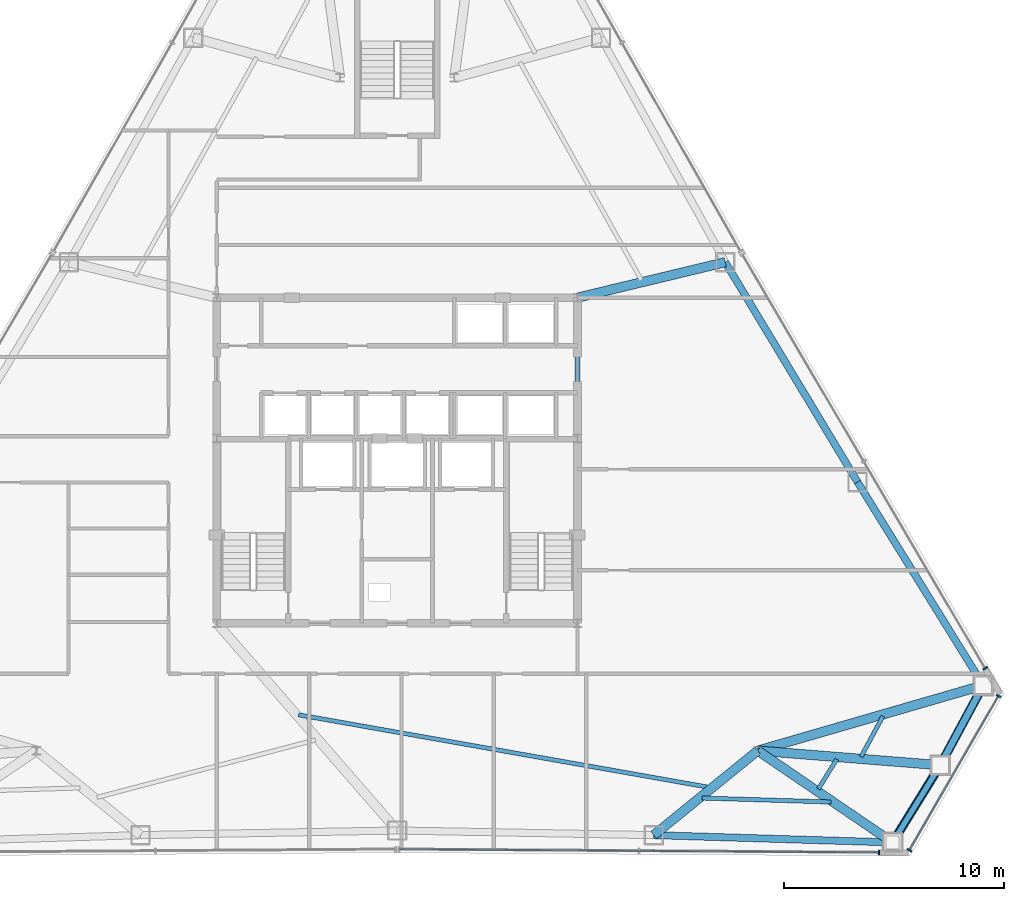
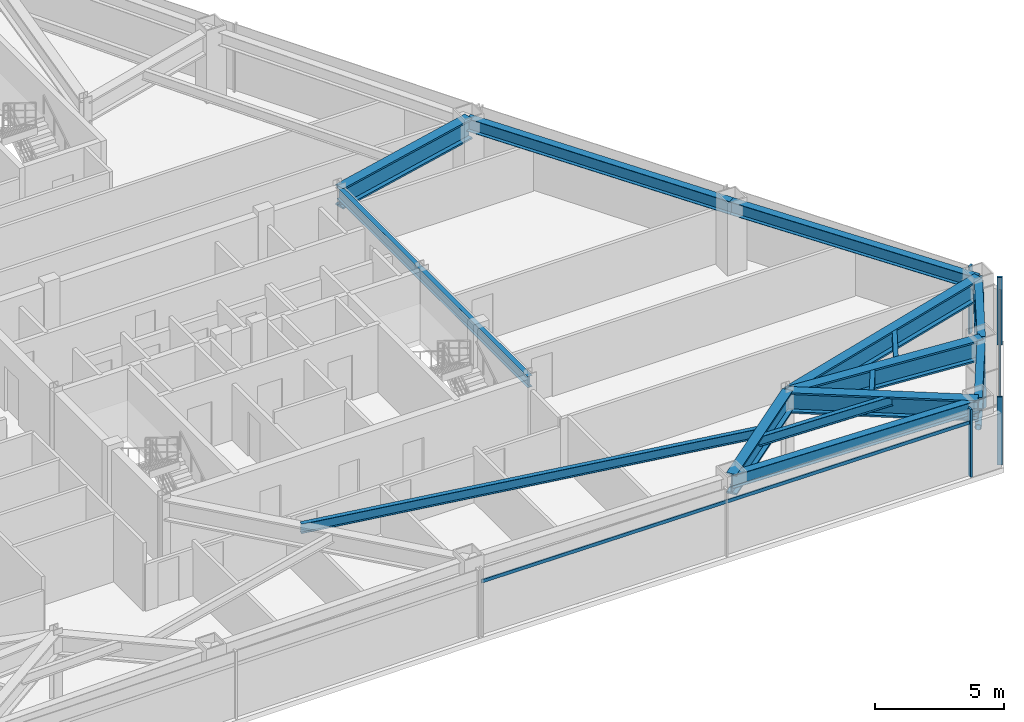
# One storey, part 6 of 13: 15 beams, 9 members, 3 elements without a shape of their own.
"""IFC4 building model written with IfcOpenShell, lengths in metres."""

from ifc_helpers import new_model, si_unit, direction, frame, origin, origin_2d, place, context, subcontext, project, spatial, rectangle, hollow_rectangle, hollow_circle, i_section, extrude, source, transform, mapped, material, layer, layer_set, material_profile, profile_set, type_object, type_shapes, element, aggregate, save


model = new_model("IFC4")

# Units and contexts
model_context = context("Model", 3, precision=1e-05, world=origin(), true_north=direction((0.0, 1.0)))
body_context = subcontext(model_context, "Body", "Model", "MODEL_VIEW")
ifc_project = project(units=[si_unit("LENGTHUNIT", "METRE"), si_unit("AREAUNIT", "SQUARE_METRE"), si_unit("VOLUMEUNIT", "CUBIC_METRE"), si_unit("PLANEANGLEUNIT", "RADIAN"), si_unit("MASSUNIT", "GRAM", prefix="KILO")], contexts=[model_context])

# Site, building, storey
site_placement = place(None, origin())
site = spatial("IfcSite", under=ifc_project, at=site_placement, CompositionType="ELEMENT")
building_placement = place(site_placement, origin())
building = spatial("IfcBuilding", under=site, at=building_placement, Name="Varakhsha Concourse Tower", CompositionType="ELEMENT")
storey_placement = place(building_placement, frame((0.0, 0.0, 136.699951171875)))
storey = spatial("IfcBuildingStorey", under=building, at=storey_placement, Name="L39", CompositionType="ELEMENT", Elevation=136.699951171875)

# Beams
ifc_material_1 = material(Name="Structural Steel ASTM A992 Grade 50", Category="steel")
ifc_material_profile_1 = material_profile(ifc_material_1, i_section(OverallWidth=0.19091796875, OverallDepth=0.45703125, WebThickness=0.009033203125, FlangeThickness=0.013916015625, at=origin_2d()), Name="W18X50")
ifc_profile_set_1 = profile_set([ifc_material_profile_1], Name="Structural Steel ASTM A992 Grade 50")
beam_type_1 = type_object("IfcBeamType", Name="BM-JST-W18X50", PredefinedType="JOIST", material=ifc_profile_set_1)
beam_1_placement = place(storey_placement, frame((35.516357421875, 12.231689453125, 2.9814453125), z_axis=(0.984751303564, -0.17396801467, 0.0), x_axis=(0.17396801467, 0.984751303564, 0.0)))
element("IfcBeam", 1, at=beam_1_placement, inside=storey, type_object=beam_type_1, Name="BM-TJST-L39-11", PredefinedType="JOIST", context=body_context, shape_type="SweptSolid", body=[
    extrude(i_section(OverallWidth=0.19091796875, OverallDepth=0.45703125, WebThickness=0.009033203125, FlangeThickness=0.013916015625, at=origin_2d()), origin(), (0.0, 0.0, 1.0), 18.9833984375),
])
beam_2_placement = place(storey_placement, frame((53.86083984375, 8.44580078125, 2.9814453125), z_axis=(0.999532008053, -0.03059027423, 0.0), x_axis=(0.03059027423, 0.999532008053, 0.0)))
element("IfcBeam", 2, at=beam_2_placement, inside=storey, type_object=beam_type_1, Name="BM-TJST-L39-12", PredefinedType="JOIST", context=body_context, shape_type="SweptSolid", body=[
    extrude(i_section(OverallWidth=0.19091796875, OverallDepth=0.45703125, WebThickness=0.009033203125, FlangeThickness=0.013916015625, at=origin_2d()), origin(), (0.0, 0.0, 1.0), 5.865966796875),
])
beam_3_placement = place(storey_placement, frame((59.156005859375, 8.857421875, 2.9814453125), z_axis=(0.525274673375, 0.850932733834, 0.0), x_axis=(-0.850932733834, 0.525274673375, 0.0)))
element("IfcBeam", 3, at=beam_3_placement, inside=storey, type_object=beam_type_1, Name="BM-TJST-L39-13", PredefinedType="JOIST", context=body_context, shape_type="SweptSolid", body=[
    extrude(i_section(OverallWidth=0.19091796875, OverallDepth=0.45703125, WebThickness=0.009033203125, FlangeThickness=0.013916015625, at=origin_2d()), origin(), (0.0, 0.0, 1.0), 1.59619140625),
])
beam_4_placement = place(storey_placement, frame((61.100341796875, 10.326904296875, 2.9814453125), z_axis=(0.474273837801, 0.880377377479, 0.0), x_axis=(-0.880377377479, 0.474273837801, 0.0)))
element("IfcBeam", 4, at=beam_4_placement, inside=storey, type_object=beam_type_1, Name="BM-TJST-L39-14", PredefinedType="JOIST", context=body_context, shape_type="SweptSolid", body=[
    extrude(i_section(OverallWidth=0.19091796875, OverallDepth=0.45703125, WebThickness=0.009033203125, FlangeThickness=0.013916015625, at=origin_2d()), origin(), (0.0, 0.0, 1.0), 2.091552734375),
])
ifc_material_profile_2 = material_profile(ifc_material_1, i_section(OverallWidth=0.2109375, OverallDepth=0.5390625, WebThickness=0.011962890625, FlangeThickness=0.01904296875, at=origin_2d()), Name="W21X73")
ifc_profile_set_2 = profile_set([ifc_material_profile_2], Name="Structural Steel ASTM A992 Grade 50")
beam_type_2 = type_object("IfcBeamType", Name="BM-RAD-W21X73", PredefinedType="BEAM", material=ifc_profile_set_2)
beam_5_placement = place(storey_placement, frame((48.199951171875, 16.39990234375, 2.9404296875), z_axis=(0.0, 1.0, 0.0), x_axis=(-1.0, 0.0, 0.0)))
element("IfcBeam", 5, at=beam_5_placement, inside=storey, type_object=beam_type_2, Name="BM-TCORE-L39-CE", PredefinedType="BEAM", context=body_context, shape_type="SweptSolid", body=[
    extrude(i_section(OverallWidth=0.2109375, OverallDepth=0.5390625, WebThickness=0.011962890625, FlangeThickness=0.01904296875, at=origin_2d()), origin(), (0.0, 0.0, 1.0), 14.800048828125),
])
ifc_material_profile_3 = material_profile(ifc_material_1, i_section(OverallWidth=0.323974609375, OverallDepth=0.611083984375, WebThickness=0.012939453125, FlangeThickness=0.01904296875, at=origin_2d()), Name="W24X104")
ifc_profile_set_3 = profile_set([ifc_material_profile_3], Name="Structural Steel ASTM A992 Grade 50")
beam_type_3 = type_object("IfcBeamType", Name="BM-SPAN-W24X104", PredefinedType="SPANDREL", material=ifc_profile_set_3)
beam_6_placement = place(storey_placement, frame((51.66943359375, 6.759033203125, 2.904541015625), z_axis=(0.999532503113, -0.030574093962, 0.0), x_axis=(0.030574093962, 0.999532503113, 0.0)))
element("IfcBeam", 6, at=beam_6_placement, inside=storey, type_object=beam_type_3, Name="BM-SPAN-L39-12", PredefinedType="SPANDREL", context=body_context, shape_type="SweptSolid", body=[
    extrude(i_section(OverallWidth=0.323974609375, OverallDepth=0.611083984375, WebThickness=0.012939453125, FlangeThickness=0.01904296875, at=origin_2d()), origin(), (0.0, 0.0, 1.0), 10.867919921875),
])
for number, where, z_axis, x_axis, name in (
    (7, (62.5322265625, 6.4267578125, 2.904541015625), (0.525275019808, 0.850932519984, 0.0), (-0.850932519984, 0.525275019808, 0.0), "BM-SPAN-L39-13"),
    (8, (64.700439453125, 9.939208984375, 2.904541015625), (0.474307913121, 0.880359019691, 0.0), (-0.880359019691, 0.474307913121, 0.0), "BM-SPAN-L39-14"),
):
    element("IfcBeam", number, at=place(storey_placement, frame(where, z_axis=z_axis, x_axis=x_axis)), inside=storey, type_object=beam_type_3, Name=name, PredefinedType="SPANDREL", context=body_context, shape_type="SweptSolid", body=[
        extrude(i_section(OverallWidth=0.323974609375, OverallDepth=0.611083984375, WebThickness=0.012939453125, FlangeThickness=0.01904296875, at=origin_2d()), origin(), (0.0, 0.0, 1.0), 4.127685546875),
    ])
beam_7_placement = place(storey_placement, frame((66.658203125, 13.572998046875, 2.904541015625), z_axis=(-0.526244020502, 0.850333599763, 0.0), x_axis=(-0.850333599763, -0.526244020502, 0.0)))
element("IfcBeam", 9, at=beam_7_placement, inside=storey, type_object=beam_type_3, Name="BM-SPAN-L39-15", PredefinedType="SPANDREL", context=body_context, shape_type="SweptSolid", body=[
    extrude(i_section(OverallWidth=0.323974609375, OverallDepth=0.611083984375, WebThickness=0.012939453125, FlangeThickness=0.01904296875, at=origin_2d()), origin(), (0.0, 0.0, 1.0), 10.867919921875),
])
beam_8_placement = place(storey_placement, frame((60.93896484375, 22.814453125, 2.904541015625), z_axis=(-0.515584301613, 0.856838857622, 0.0), x_axis=(-0.856838857622, -0.515584301613, 0.0)))
element("IfcBeam", 10, at=beam_8_placement, inside=storey, type_object=beam_type_3, Name="BM-SPAN-L39-16", PredefinedType="SPANDREL", context=body_context, shape_type="SweptSolid", body=[
    extrude(i_section(OverallWidth=0.323974609375, OverallDepth=0.611083984375, WebThickness=0.012939453125, FlangeThickness=0.01904296875, at=origin_2d()), origin(), (0.0, 0.0, 1.0), 11.67138671875),
])
ifc_material_profile_4 = material_profile(ifc_material_1, i_section(OverallWidth=0.427978515625, OverallDepth=0.97509765625, WebThickness=0.050048828125, FlangeThickness=0.0810546875, at=origin_2d()), Name="W36X395")
ifc_profile_set_4 = profile_set([ifc_material_profile_4], Name="Structural Steel ASTM A992 Grade 50")
beam_type_4 = type_object("IfcBeamType", Name="BM-XFER-W36X395", PredefinedType="USERDEFINED", material=ifc_profile_set_4)
beam_9_placement = place(storey_placement, frame((56.39990234375, 10.60009765625, 2.72265625), z_axis=(-0.776310048097, -0.630351258604, 0.0), x_axis=(0.630351258604, -0.776310048097, 0.0)))
element("IfcBeam", 11, at=beam_9_placement, inside=storey, type_object=beam_type_4, Name="L39 Radial Floor Girder 12", ObjectType="GIRDER", PredefinedType="USERDEFINED", context=body_context, shape_type="SweptSolid", body=[
    extrude(i_section(OverallWidth=0.427978515625, OverallDepth=0.97509765625, WebThickness=0.050048828125, FlangeThickness=0.0810546875, at=origin_2d()), origin(), (0.0, 0.0, 1.0), 6.093505859375),
])
beam_10_placement = place(storey_placement, frame((56.39990234375, 10.60009765625, 2.72265625), z_axis=(0.826715856681, -0.562619669325, 0.0), x_axis=(0.562619669325, 0.826715856681, 0.0)))
element("IfcBeam", 12, at=beam_10_placement, inside=storey, type_object=beam_type_4, Name="L39 Radial Floor Girder 13", ObjectType="GIRDER", PredefinedType="USERDEFINED", context=body_context, shape_type="SweptSolid", body=[
    extrude(i_section(OverallWidth=0.427978515625, OverallDepth=0.97509765625, WebThickness=0.050048828125, FlangeThickness=0.0810546875, at=origin_2d()), origin(), (0.0, 0.0, 1.0), 7.417724609375),
])
beam_11_placement = place(storey_placement, frame((56.39990234375, 10.60009765625, 2.72265625), z_axis=(0.996845319741, -0.079368813216, 0.0), x_axis=(0.079368813216, 0.996845319741, 0.0)))
element("IfcBeam", 13, at=beam_11_placement, inside=storey, type_object=beam_type_4, Name="L39 Radial Floor Girder 14", ObjectType="GIRDER", PredefinedType="USERDEFINED", context=body_context, shape_type="SweptSolid", body=[
    extrude(i_section(OverallWidth=0.427978515625, OverallDepth=0.97509765625, WebThickness=0.050048828125, FlangeThickness=0.0810546875, at=origin_2d()), origin(), (0.0, 0.0, 1.0), 8.326904296875),
])
beam_12_placement = place(storey_placement, frame((56.39990234375, 10.60009765625, 2.72265625), z_axis=(0.960479386688, 0.27835112313, 0.0), x_axis=(-0.27835112313, 0.960479386688, 0.0)))
element("IfcBeam", 14, at=beam_12_placement, inside=storey, type_object=beam_type_4, Name="L39 Radial Floor Girder 15", ObjectType="GIRDER", PredefinedType="USERDEFINED", context=body_context, shape_type="SweptSolid", body=[
    extrude(i_section(OverallWidth=0.427978515625, OverallDepth=0.97509765625, WebThickness=0.050048828125, FlangeThickness=0.0810546875, at=origin_2d()), origin(), (0.0, 0.0, 1.0), 10.680419921875),
])
beam_13_placement = place(storey_placement, frame((48.199951171875, 31.199951171875, 2.72265625), z_axis=(0.972326679088, 0.233625403442, 0.0), x_axis=(-0.233625403442, 0.972326679088, 0.0)))
element("IfcBeam", 15, at=beam_13_placement, inside=storey, type_object=beam_type_4, Name="L39 Radial Floor Girder 17", ObjectType="GIRDER", PredefinedType="USERDEFINED", context=body_context, shape_type="SweptSolid", body=[
    extrude(i_section(OverallWidth=0.427978515625, OverallDepth=0.97509765625, WebThickness=0.050048828125, FlangeThickness=0.0810546875, at=origin_2d()), origin(), (0.0, 0.0, 1.0), 6.912841796875),
])

# Members
ifc_material_2 = material(Name="Structural Steel ASTM A500 Grade C", Category="steel")
ifc_material_profile_5 = material_profile(ifc_material_2, hollow_rectangle(XDim=0.39990234375, YDim=0.39990234375, WallThickness=0.01611328125, at=origin_2d()), Name="HSS 400x400x16")
ifc_profile_set_5 = profile_set([ifc_material_profile_5], Name="Structural Steel ASTM A500 Grade C")
member_type_1 = type_object("IfcMemberType", Name="MB-TUBE-HSS400", PredefinedType="BRACE", material=ifc_profile_set_5)
shared_shape_1 = source(origin(), body_context, "Body", "SweptSolid", [
    extrude(hollow_rectangle(XDim=0.39990234375, YDim=0.39990234375, WallThickness=0.01611328125, at=origin_2d()), origin(), (0.0, 0.0, 1.0), 4.982177734375),
])
type_shapes(member_type_1, [shared_shape_1])
for number, where, z_axis, x_axis, name in (
    (16, (64.700439453125, 9.939208984375, 0.1201171875), (-0.435187815597, -0.7049934808, 0.55999621176), (0.850932519984, -0.525275019808, 0.0), "L39 Wind-Corner Tube Brace B05"),
    (17, (64.700439453125, 9.939208984375, 0.1201171875), (0.392957478485, 0.729365146498, 0.560009734895), (-0.880359019691, 0.474307913121, 0.0), "L39 Wind-Corner Tube Brace B06"),
):
    element("IfcMember", number, at=place(storey_placement, frame(where, z_axis=z_axis, x_axis=x_axis)), inside=storey, type_object=member_type_1, Name=name, PredefinedType="BRACE", context=body_context, shape_type="MappedRepresentation", body=[
        mapped(shared_shape_1, transform((0.0, 0.0, 0.0), scale=1.0)),
    ])
ifc_material_profile_6 = material_profile(ifc_material_2, hollow_circle(Radius=0.136474609375, WallThickness=0.011962890625, at=origin_2d()), Name="CHS 273x12")
ifc_profile_set_6 = profile_set([ifc_material_profile_6], Name="Structural Steel ASTM A500 Grade C")
member_type_2 = type_object("IfcMemberType", Name="MB-WIND-CHS273", PredefinedType="COLLAR", material=ifc_profile_set_6)
shared_shape_2 = source(origin(), body_context, "Body", "SweptSolid", [
    extrude(hollow_circle(Radius=0.136474609375, WallThickness=0.011962890625, at=origin_2d()), origin(), (0.0, 0.0, 1.0), 4.127685546875),
])
type_shapes(member_type_2, [shared_shape_2])
member_1_placement = place(storey_placement, frame((62.5322265625, 6.4267578125, 1.800048828125), z_axis=(0.525275019808, 0.850932519984, 0.0), x_axis=(-0.850932519984, 0.525275019808, 0.0)))
element("IfcMember", 18, at=member_1_placement, inside=storey, type_object=member_type_2, Name="L39 Wind-Corner Collar Tie 3", PredefinedType="COLLAR", context=body_context, shape_type="MappedRepresentation", body=[
    mapped(shared_shape_2, transform((0.0, 0.0, 0.0), scale=1.0)),
])

# Curtain wall, member
ifc_material_3 = material(Name="Anodised Bronze Architectural Aluminium AA 6063-T6", Category="aluminium")
ifc_layer = layer(ifc_material_3, 0.2099609375, Name="CW-SYS-04")
ifc_layer_set = layer_set([ifc_layer], Name="Anodised Bronze Architectural Aluminium AA 6063-T6")
curtain_wall_type = type_object("IfcCurtainWallType", Name="CW-SYS-04", PredefinedType="NOTDEFINED", material=ifc_layer_set)
curtain_wall_1_placement = place(storey_placement, origin())
curtain_wall_1 = element("IfcCurtainWall", 19, at=curtain_wall_1_placement, inside=storey, type_object=curtain_wall_type, Name="L39 Crystal Curtain Wall F6", PredefinedType="NOTDEFINED")
ifc_material_profile_7 = material_profile(ifc_material_3, rectangle(XDim=0.074951171875, YDim=0.219970703125, at=origin_2d()), Name="CWM-220X75")
ifc_profile_set_7 = profile_set([ifc_material_profile_7], Name="Anodised Bronze Architectural Aluminium AA 6063-T6")
member_type_3 = type_object("IfcMemberType", Name="CWM-220X75", PredefinedType="MULLION", material=ifc_profile_set_7)
shared_shape_3 = source(origin(), body_context, "Body", "SweptSolid", [
    extrude(rectangle(XDim=0.074951171875, YDim=0.219970703125, at=origin_2d()), origin(), (0.0, 0.0, 1.0), 3.2099609375),
])
type_shapes(member_type_3, [shared_shape_3])
member_2_placement = place(storey_placement, frame((61.907958984375, 5.969482421875, 0.0), z_axis=(0.0, 0.0, 1.0), x_axis=(-0.999976976275, 0.006785788053, 0.0)))
member_2 = element("IfcMember", 20, at=member_2_placement, type_object=member_type_3, Name="CW-L39-F6 Mullion 00", PredefinedType="MULLION", context=body_context, shape_type="MappedRepresentation", body=[
    mapped(shared_shape_3, transform((0.0, 0.0, 0.0), scale=1.0)),
])

# Curtain wall, members
curtain_wall_2_placement = place(storey_placement, origin())
curtain_wall_2 = element("IfcCurtainWall", 21, at=curtain_wall_2_placement, inside=storey, type_object=curtain_wall_type, Name="L39 Chamfer Curtain Wall F7", PredefinedType="NOTDEFINED")
member_3_placement = place(storey_placement, frame((67.349609375, 13.087890625, 0.0), z_axis=(0.0, 0.0, 1.0), x_axis=(-0.5, -0.866025403784, 0.0)))
member_3 = element("IfcMember", 22, at=member_3_placement, type_object=member_type_3, Name="CW-L39-F7 Mullion 00", PredefinedType="MULLION", context=body_context, shape_type="MappedRepresentation", body=[
    mapped(shared_shape_3, transform((0.0, 0.0, 0.0), scale=1.0)),
])
member_4_placement = place(storey_placement, frame((63.298095703125, 6.070556640625, 0.0), z_axis=(0.0, 0.0, 1.0), x_axis=(-0.5, -0.866025403784, 0.0)))
member_4 = element("IfcMember", 23, at=member_4_placement, type_object=member_type_3, Name="CW-L39-F7 Mullion 01", PredefinedType="MULLION", context=body_context, shape_type="MappedRepresentation", body=[
    mapped(shared_shape_3, transform((0.0, 0.0, 0.0), scale=1.0)),
])

# Curtain wall, member
curtain_wall_3_placement = place(storey_placement, origin())
curtain_wall_3 = element("IfcCurtainWall", 24, at=curtain_wall_3_placement, inside=storey, type_object=curtain_wall_type, Name="L39 Crystal Curtain Wall F8", PredefinedType="NOTDEFINED")
member_5_placement = place(storey_placement, frame((66.741943359375, 14.34228515625, 0.0), z_axis=(0.0, 0.0, 1.0), x_axis=(0.505862141887, -0.862614336424, 0.0)))
member_5 = element("IfcMember", 25, at=member_5_placement, type_object=member_type_3, Name="CW-L39-F8 Mullion 02", PredefinedType="MULLION", context=body_context, shape_type="MappedRepresentation", body=[
    mapped(shared_shape_3, transform((0.0, 0.0, 0.0), scale=1.0)),
])
aggregate(curtain_wall_3, [member_5])

# Member
ifc_material_profile_8 = material_profile(ifc_material_3, rectangle(XDim=0.06494140625, YDim=0.159912109375, at=origin_2d()), Name="CWT-160X65")
ifc_profile_set_8 = profile_set([ifc_material_profile_8], Name="Anodised Bronze Architectural Aluminium AA 6063-T6")
member_type_4 = type_object("IfcMemberType", Name="CWT-160X65", PredefinedType="USERDEFINED", material=ifc_profile_set_8)
shared_shape_4 = source(origin(), body_context, "Body", "SweptSolid", [
    extrude(rectangle(XDim=0.06494140625, YDim=0.159912109375, at=origin_2d()), origin(), (0.0, 0.0, 1.0), 21.827392578125),
])
member_6_placement = place(storey_placement, frame((61.907958984375, 5.969482421875, 2.56005859375), z_axis=(-0.999976952268, 0.006789324855, 0.0), x_axis=(-0.006789324855, -0.999976952268, 0.0)))
member_6 = element("IfcMember", 26, at=member_6_placement, type_object=member_type_4, Name="CW-L39-F6 Transom 01", ObjectType="TRANSOM", PredefinedType="USERDEFINED", context=body_context, shape_type="MappedRepresentation", body=[
    mapped(shared_shape_4, transform((0.0, 0.0, 0.0), scale=1.0)),
])

aggregate(curtain_wall_1, [member_2, member_6])

shared_shape_5 = source(origin(), body_context, "Body", "SweptSolid", [
    extrude(rectangle(XDim=0.06494140625, YDim=0.159912109375, at=origin_2d()), origin(), (0.0, 0.0, 1.0), 8.10302734375),
])
type_shapes(member_type_4, [shared_shape_4, shared_shape_5])
member_7_placement = place(storey_placement, frame((67.349609375, 13.087890625, 2.56005859375), z_axis=(-0.500004998822, -0.866022517694, 0.0), x_axis=(0.866022517694, -0.500004998822, 0.0)))
member_7 = element("IfcMember", 27, at=member_7_placement, type_object=member_type_4, Name="CW-L39-F7 Transom 01", ObjectType="TRANSOM", PredefinedType="USERDEFINED", context=body_context, shape_type="MappedRepresentation", body=[
    mapped(shared_shape_5, transform((0.0, 0.0, 0.0), scale=1.0)),
])

aggregate(curtain_wall_2, [member_3, member_4, member_7])

save(model, "model.ifc")
